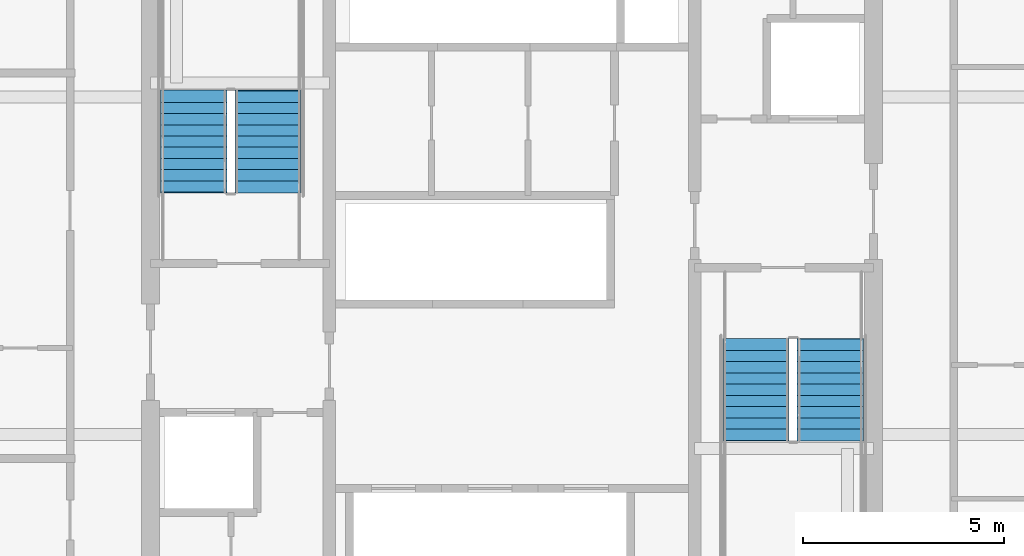
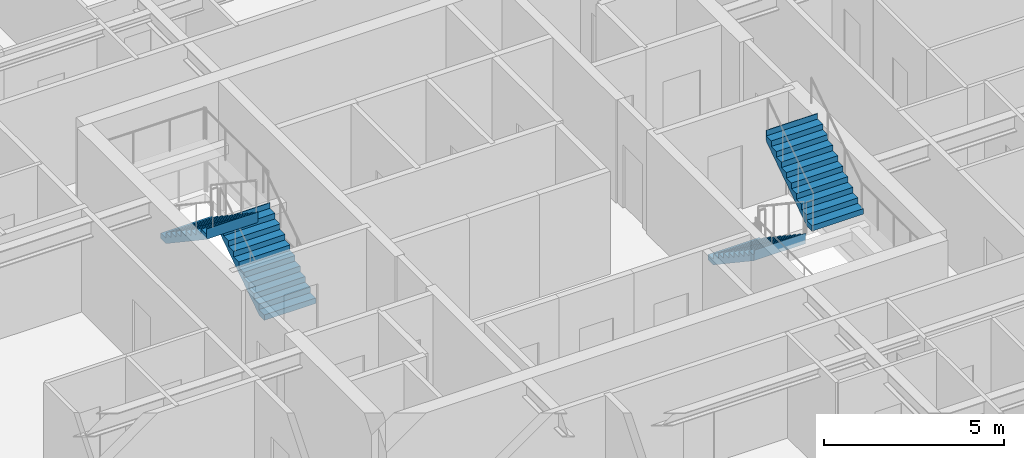
# One storey, part 33 of 39: 4 stair flights, 2 elements without a shape of their own.
"""IFC4 building model written with IfcOpenShell, lengths in metres."""

from ifc_helpers import new_model, si_unit, direction, frame, origin, place, context, subcontext, project, spatial, polygons, material, type_object, element, aggregate, save


model = new_model("IFC4")

# Units and contexts
model_context = context("Model", 3, precision=1e-05, world=origin(), true_north=direction((0.0, 1.0)))
body_context = subcontext(model_context, "Body", "Model", "MODEL_VIEW")
ifc_project = project(units=[si_unit("LENGTHUNIT", "METRE"), si_unit("AREAUNIT", "SQUARE_METRE"), si_unit("VOLUMEUNIT", "CUBIC_METRE"), si_unit("PLANEANGLEUNIT", "RADIAN"), si_unit("MASSUNIT", "GRAM", prefix="KILO")], contexts=[model_context])

# Site, building, storey
site_placement = place(None, origin())
site = spatial("IfcSite", under=ifc_project, at=site_placement, CompositionType="ELEMENT")
building_placement = place(site_placement, origin())
building = spatial("IfcBuilding", under=site, at=building_placement, Name="Serunith Strait Residences", CompositionType="ELEMENT")
storey_placement = place(building_placement, frame((0.0, 0.0, 79.199951171875)))
storey = spatial("IfcBuildingStorey", under=building, at=storey_placement, Name="L19", CompositionType="ELEMENT", Elevation=79.199951171875)

# Stair, stair flights
ifc_material = material(Name="Concrete C50/60", Category="concrete")
stair_type_1 = type_object("IfcStairType", Name="STR-CORE-1", PredefinedType="HALF_TURN_STAIR", material=ifc_material)
stair_1_placement = place(storey_placement, origin())
stair_1 = element("IfcStair", 1, at=stair_1_placement, inside=storey, type_object=stair_type_1, Name="L19 Protected Escape Stair ST-1", PredefinedType="HALF_TURN_STAIR")
stair_flight_type_1 = type_object("IfcStairFlightType", Name="FLT-CORE-1", PredefinedType="STRAIGHT", material=ifc_material)
stair_flight_1_placement = place(storey_placement, frame((26.324951171875, 27.030029296875, 0.0), z_axis=(0.0, 0.0, 1.0), x_axis=(0.0, 1.0, 0.0)))
stair_flight_1 = element("IfcStairFlight", 2, at=stair_flight_1_placement, type_object=stair_flight_type_1, Name="ST-1 flight 1", NumberOfRisers=10, NumberOfTreads=9, PredefinedType="STRAIGHT", RiserHeight=0.1875, TreadLength=0.28, context=body_context, shape_type="Tessellation", body=[
    polygons([(-0.02001953125, -0.824951171875, 0.0), (-0.02001953125, -0.824951171875, 0.1875), (0.280029296875, -0.824951171875, 0.1875), (0.280029296875, -0.824951171875, 0.375), (0.56005859375, -0.824951171875, 0.375), (0.56005859375, -0.824951171875, 0.5625), (0.840087890625, -0.824951171875, 0.5625), (0.840087890625, -0.824951171875, 0.75), (1.1201171875, -0.824951171875, 0.75), (1.1201171875, -0.824951171875, 0.9375), (1.39990234375, -0.824951171875, 0.9375), (1.39990234375, -0.824951171875, 1.125), (1.679931640625, -0.824951171875, 1.125), (1.679931640625, -0.824951171875, 1.3125), (1.9599609375, -0.824951171875, 1.3125), (1.9599609375, -0.824951171875, 1.5), (2.239990234375, -0.824951171875, 1.5), (2.239990234375, -0.824951171875, 1.6875), (2.52001953125, -0.824951171875, 1.6875), (2.52001953125, -0.824951171875, 1.875), (2.5400390625, -0.824951171875, 1.875), (2.5400390625, -0.824951171875, 1.81494140625), (2.52001953125, -0.824951171875, 1.507080078125), (0.26953125, -0.824951171875, 0.0), (-0.02001953125, -0.41259765625, 0.0), (-0.02001953125, -0.41259765625, 0.1875), (0.280029296875, -0.41259765625, 0.1875), (0.280029296875, -0.41259765625, 0.375), (0.56005859375, -0.41259765625, 0.375), (0.56005859375, -0.41259765625, 0.5625), (0.840087890625, -0.41259765625, 0.5625), (0.840087890625, -0.41259765625, 0.75), (1.1201171875, -0.41259765625, 0.75), (1.1201171875, -0.41259765625, 0.9375), (1.39990234375, -0.41259765625, 0.9375), (1.39990234375, -0.41259765625, 1.125), (1.679931640625, -0.41259765625, 1.125), (1.679931640625, -0.41259765625, 1.3125), (1.9599609375, -0.41259765625, 1.3125), (1.9599609375, -0.41259765625, 1.5), (2.239990234375, -0.41259765625, 1.5), (2.239990234375, -0.41259765625, 1.6875), (2.52001953125, -0.41259765625, 1.6875), (2.52001953125, -0.41259765625, 1.875), (2.5400390625, -0.41259765625, 1.875), (2.5400390625, -0.41259765625, 1.81494140625), (2.52001953125, -0.41259765625, 1.507080078125), (0.26953125, -0.41259765625, 0.0), (-0.02001953125, 0.0, 0.0), (-0.02001953125, 0.0, 0.1875), (0.280029296875, 0.0, 0.1875), (0.280029296875, 0.0, 0.375), (0.56005859375, 0.0, 0.375), (0.56005859375, 0.0, 0.5625), (0.840087890625, 0.0, 0.5625), (0.840087890625, 0.0, 0.75), (1.1201171875, 0.0, 0.75), (1.1201171875, 0.0, 0.9375), (1.39990234375, 0.0, 0.9375), (1.39990234375, 0.0, 1.125), (1.679931640625, 0.0, 1.125), (1.679931640625, 0.0, 1.3125), (1.9599609375, 0.0, 1.3125), (1.9599609375, 0.0, 1.5), (2.239990234375, 0.0, 1.5), (2.239990234375, 0.0, 1.6875), (2.52001953125, 0.0, 1.6875), (2.52001953125, 0.0, 1.875), (2.5400390625, 0.0, 1.875), (2.5400390625, 0.0, 1.81494140625), (2.52001953125, 0.0, 1.507080078125), (0.26953125, 0.0, 0.0), (-0.02001953125, 0.41259765625, 0.0), (-0.02001953125, 0.41259765625, 0.1875), (0.280029296875, 0.41259765625, 0.1875), (0.280029296875, 0.41259765625, 0.375), (0.56005859375, 0.41259765625, 0.375), (0.56005859375, 0.41259765625, 0.5625), (0.840087890625, 0.41259765625, 0.5625), (0.840087890625, 0.41259765625, 0.75), (1.1201171875, 0.41259765625, 0.75), (1.1201171875, 0.41259765625, 0.9375), (1.39990234375, 0.41259765625, 0.9375), (1.39990234375, 0.41259765625, 1.125), (1.679931640625, 0.41259765625, 1.125), (1.679931640625, 0.41259765625, 1.3125), (1.9599609375, 0.41259765625, 1.3125), (1.9599609375, 0.41259765625, 1.5), (2.239990234375, 0.41259765625, 1.5), (2.239990234375, 0.41259765625, 1.6875), (2.52001953125, 0.41259765625, 1.6875), (2.52001953125, 0.41259765625, 1.875), (2.5400390625, 0.41259765625, 1.875), (2.5400390625, 0.41259765625, 1.81494140625), (2.52001953125, 0.41259765625, 1.507080078125), (0.26953125, 0.41259765625, 0.0), (-0.02001953125, 0.824951171875, 0.0), (-0.02001953125, 0.824951171875, 0.1875), (0.280029296875, 0.824951171875, 0.1875), (0.280029296875, 0.824951171875, 0.375), (0.56005859375, 0.824951171875, 0.375), (0.56005859375, 0.824951171875, 0.5625), (0.840087890625, 0.824951171875, 0.5625), (0.840087890625, 0.824951171875, 0.75), (1.1201171875, 0.824951171875, 0.75), (1.1201171875, 0.824951171875, 0.9375), (1.39990234375, 0.824951171875, 0.9375), (1.39990234375, 0.824951171875, 1.125), (1.679931640625, 0.824951171875, 1.125), (1.679931640625, 0.824951171875, 1.3125), (1.9599609375, 0.824951171875, 1.3125), (1.9599609375, 0.824951171875, 1.5), (2.239990234375, 0.824951171875, 1.5), (2.239990234375, 0.824951171875, 1.6875), (2.52001953125, 0.824951171875, 1.6875), (2.52001953125, 0.824951171875, 1.875), (2.5400390625, 0.824951171875, 1.875), (2.5400390625, 0.824951171875, 1.81494140625), (2.52001953125, 0.824951171875, 1.507080078125), (0.26953125, 0.824951171875, 0.0)], [[[1, 2, 26, 25]], [[2, 3, 27, 26]], [[3, 4, 28, 27]], [[4, 5, 29, 28]], [[5, 6, 30, 29]], [[6, 7, 31, 30]], [[7, 8, 32, 31]], [[8, 9, 33, 32]], [[9, 10, 34, 33]], [[10, 11, 35, 34]], [[11, 12, 36, 35]], [[12, 13, 37, 36]], [[13, 14, 38, 37]], [[14, 15, 39, 38]], [[15, 16, 40, 39]], [[16, 17, 41, 40]], [[17, 18, 42, 41]], [[18, 19, 43, 42]], [[19, 20, 44, 43]], [[20, 21, 45, 44]], [[21, 22, 46, 45]], [[22, 23, 47, 46]], [[23, 24, 48, 47]], [[24, 1, 25, 48]], [[25, 26, 50, 49]], [[26, 27, 51, 50]], [[27, 28, 52, 51]], [[28, 29, 53, 52]], [[29, 30, 54, 53]], [[30, 31, 55, 54]], [[31, 32, 56, 55]], [[32, 33, 57, 56]], [[33, 34, 58, 57]], [[34, 35, 59, 58]], [[35, 36, 60, 59]], [[36, 37, 61, 60]], [[37, 38, 62, 61]], [[38, 39, 63, 62]], [[39, 40, 64, 63]], [[40, 41, 65, 64]], [[41, 42, 66, 65]], [[42, 43, 67, 66]], [[43, 44, 68, 67]], [[44, 45, 69, 68]], [[45, 46, 70, 69]], [[46, 47, 71, 70]], [[47, 48, 72, 71]], [[48, 25, 49, 72]], [[49, 50, 74, 73]], [[50, 51, 75, 74]], [[51, 52, 76, 75]], [[52, 53, 77, 76]], [[53, 54, 78, 77]], [[54, 55, 79, 78]], [[55, 56, 80, 79]], [[56, 57, 81, 80]], [[57, 58, 82, 81]], [[58, 59, 83, 82]], [[59, 60, 84, 83]], [[60, 61, 85, 84]], [[61, 62, 86, 85]], [[62, 63, 87, 86]], [[63, 64, 88, 87]], [[64, 65, 89, 88]], [[65, 66, 90, 89]], [[66, 67, 91, 90]], [[67, 68, 92, 91]], [[68, 69, 93, 92]], [[69, 70, 94, 93]], [[70, 71, 95, 94]], [[71, 72, 96, 95]], [[72, 49, 73, 96]], [[73, 74, 98, 97]], [[74, 75, 99, 98]], [[75, 76, 100, 99]], [[76, 77, 101, 100]], [[77, 78, 102, 101]], [[78, 79, 103, 102]], [[79, 80, 104, 103]], [[80, 81, 105, 104]], [[81, 82, 106, 105]], [[82, 83, 107, 106]], [[83, 84, 108, 107]], [[84, 85, 109, 108]], [[85, 86, 110, 109]], [[86, 87, 111, 110]], [[87, 88, 112, 111]], [[88, 89, 113, 112]], [[89, 90, 114, 113]], [[90, 91, 115, 114]], [[91, 92, 116, 115]], [[92, 93, 117, 116]], [[93, 94, 118, 117]], [[94, 95, 119, 118]], [[95, 96, 120, 119]], [[96, 73, 97, 120]], [[24, 23, 22, 21, 20, 19, 18, 17, 16, 15, 14, 13, 12, 11, 10, 9, 8, 7, 6, 5, 4, 3, 2, 1]], [[97, 98, 99, 100, 101, 102, 103, 104, 105, 106, 107, 108, 109, 110, 111, 112, 113, 114, 115, 116, 117, 118, 119, 120]]], closed=True),
])
stair_flight_2_placement = place(storey_placement, frame((24.47509765625, 29.550048828125, 1.875), z_axis=(0.0, 0.0, 1.0), x_axis=(0.0, -1.0, 0.0)))
stair_flight_2 = element("IfcStairFlight", 3, at=stair_flight_2_placement, type_object=stair_flight_type_1, Name="ST-1 flight 2", NumberOfRisers=10, NumberOfTreads=9, PredefinedType="STRAIGHT", RiserHeight=0.1875, TreadLength=0.28, context=body_context, shape_type="Tessellation", body=[
    polygons([(-0.02001953125, -0.824951171875, 0.0), (-0.02001953125, -0.824951171875, 0.1875), (0.280029296875, -0.824951171875, 0.1875), (0.280029296875, -0.824951171875, 0.375), (0.56005859375, -0.824951171875, 0.375), (0.56005859375, -0.824951171875, 0.5625), (0.840087890625, -0.824951171875, 0.5625), (0.840087890625, -0.824951171875, 0.75), (1.1201171875, -0.824951171875, 0.75), (1.1201171875, -0.824951171875, 0.9375), (1.39990234375, -0.824951171875, 0.9375), (1.39990234375, -0.824951171875, 1.125), (1.679931640625, -0.824951171875, 1.125), (1.679931640625, -0.824951171875, 1.3125), (1.9599609375, -0.824951171875, 1.3125), (1.9599609375, -0.824951171875, 1.5), (2.239990234375, -0.824951171875, 1.5), (2.239990234375, -0.824951171875, 1.6875), (2.52001953125, -0.824951171875, 1.6875), (2.52001953125, -0.824951171875, 1.875), (2.5400390625, -0.824951171875, 1.875), (2.5400390625, -0.824951171875, 1.81494140625), (2.52001953125, -0.824951171875, 1.507080078125), (0.26953125, -0.824951171875, 0.0), (-0.02001953125, -0.41259765625, 0.0), (-0.02001953125, -0.41259765625, 0.1875), (0.280029296875, -0.41259765625, 0.1875), (0.280029296875, -0.41259765625, 0.375), (0.56005859375, -0.41259765625, 0.375), (0.56005859375, -0.41259765625, 0.5625), (0.840087890625, -0.41259765625, 0.5625), (0.840087890625, -0.41259765625, 0.75), (1.1201171875, -0.41259765625, 0.75), (1.1201171875, -0.41259765625, 0.9375), (1.39990234375, -0.41259765625, 0.9375), (1.39990234375, -0.41259765625, 1.125), (1.679931640625, -0.41259765625, 1.125), (1.679931640625, -0.41259765625, 1.3125), (1.9599609375, -0.41259765625, 1.3125), (1.9599609375, -0.41259765625, 1.5), (2.239990234375, -0.41259765625, 1.5), (2.239990234375, -0.41259765625, 1.6875), (2.52001953125, -0.41259765625, 1.6875), (2.52001953125, -0.41259765625, 1.875), (2.5400390625, -0.41259765625, 1.875), (2.5400390625, -0.41259765625, 1.81494140625), (2.52001953125, -0.41259765625, 1.507080078125), (0.26953125, -0.41259765625, 0.0), (-0.02001953125, 0.0, 0.0), (-0.02001953125, 0.0, 0.1875), (0.280029296875, 0.0, 0.1875), (0.280029296875, 0.0, 0.375), (0.56005859375, 0.0, 0.375), (0.56005859375, 0.0, 0.5625), (0.840087890625, 0.0, 0.5625), (0.840087890625, 0.0, 0.75), (1.1201171875, 0.0, 0.75), (1.1201171875, 0.0, 0.9375), (1.39990234375, 0.0, 0.9375), (1.39990234375, 0.0, 1.125), (1.679931640625, 0.0, 1.125), (1.679931640625, 0.0, 1.3125), (1.9599609375, 0.0, 1.3125), (1.9599609375, 0.0, 1.5), (2.239990234375, 0.0, 1.5), (2.239990234375, 0.0, 1.6875), (2.52001953125, 0.0, 1.6875), (2.52001953125, 0.0, 1.875), (2.5400390625, 0.0, 1.875), (2.5400390625, 0.0, 1.81494140625), (2.52001953125, 0.0, 1.507080078125), (0.26953125, 0.0, 0.0), (-0.02001953125, 0.41259765625, 0.0), (-0.02001953125, 0.41259765625, 0.1875), (0.280029296875, 0.41259765625, 0.1875), (0.280029296875, 0.41259765625, 0.375), (0.56005859375, 0.41259765625, 0.375), (0.56005859375, 0.41259765625, 0.5625), (0.840087890625, 0.41259765625, 0.5625), (0.840087890625, 0.41259765625, 0.75), (1.1201171875, 0.41259765625, 0.75), (1.1201171875, 0.41259765625, 0.9375), (1.39990234375, 0.41259765625, 0.9375), (1.39990234375, 0.41259765625, 1.125), (1.679931640625, 0.41259765625, 1.125), (1.679931640625, 0.41259765625, 1.3125), (1.9599609375, 0.41259765625, 1.3125), (1.9599609375, 0.41259765625, 1.5), (2.239990234375, 0.41259765625, 1.5), (2.239990234375, 0.41259765625, 1.6875), (2.52001953125, 0.41259765625, 1.6875), (2.52001953125, 0.41259765625, 1.875), (2.5400390625, 0.41259765625, 1.875), (2.5400390625, 0.41259765625, 1.81494140625), (2.52001953125, 0.41259765625, 1.507080078125), (0.26953125, 0.41259765625, 0.0), (-0.02001953125, 0.824951171875, 0.0), (-0.02001953125, 0.824951171875, 0.1875), (0.280029296875, 0.824951171875, 0.1875), (0.280029296875, 0.824951171875, 0.375), (0.56005859375, 0.824951171875, 0.375), (0.56005859375, 0.824951171875, 0.5625), (0.840087890625, 0.824951171875, 0.5625), (0.840087890625, 0.824951171875, 0.75), (1.1201171875, 0.824951171875, 0.75), (1.1201171875, 0.824951171875, 0.9375), (1.39990234375, 0.824951171875, 0.9375), (1.39990234375, 0.824951171875, 1.125), (1.679931640625, 0.824951171875, 1.125), (1.679931640625, 0.824951171875, 1.3125), (1.9599609375, 0.824951171875, 1.3125), (1.9599609375, 0.824951171875, 1.5), (2.239990234375, 0.824951171875, 1.5), (2.239990234375, 0.824951171875, 1.6875), (2.52001953125, 0.824951171875, 1.6875), (2.52001953125, 0.824951171875, 1.875), (2.5400390625, 0.824951171875, 1.875), (2.5400390625, 0.824951171875, 1.81494140625), (2.52001953125, 0.824951171875, 1.507080078125), (0.26953125, 0.824951171875, 0.0)], [[[1, 2, 26, 25]], [[2, 3, 27, 26]], [[3, 4, 28, 27]], [[4, 5, 29, 28]], [[5, 6, 30, 29]], [[6, 7, 31, 30]], [[7, 8, 32, 31]], [[8, 9, 33, 32]], [[9, 10, 34, 33]], [[10, 11, 35, 34]], [[11, 12, 36, 35]], [[12, 13, 37, 36]], [[13, 14, 38, 37]], [[14, 15, 39, 38]], [[15, 16, 40, 39]], [[16, 17, 41, 40]], [[17, 18, 42, 41]], [[18, 19, 43, 42]], [[19, 20, 44, 43]], [[20, 21, 45, 44]], [[21, 22, 46, 45]], [[22, 23, 47, 46]], [[23, 24, 48, 47]], [[24, 1, 25, 48]], [[25, 26, 50, 49]], [[26, 27, 51, 50]], [[27, 28, 52, 51]], [[28, 29, 53, 52]], [[29, 30, 54, 53]], [[30, 31, 55, 54]], [[31, 32, 56, 55]], [[32, 33, 57, 56]], [[33, 34, 58, 57]], [[34, 35, 59, 58]], [[35, 36, 60, 59]], [[36, 37, 61, 60]], [[37, 38, 62, 61]], [[38, 39, 63, 62]], [[39, 40, 64, 63]], [[40, 41, 65, 64]], [[41, 42, 66, 65]], [[42, 43, 67, 66]], [[43, 44, 68, 67]], [[44, 45, 69, 68]], [[45, 46, 70, 69]], [[46, 47, 71, 70]], [[47, 48, 72, 71]], [[48, 25, 49, 72]], [[49, 50, 74, 73]], [[50, 51, 75, 74]], [[51, 52, 76, 75]], [[52, 53, 77, 76]], [[53, 54, 78, 77]], [[54, 55, 79, 78]], [[55, 56, 80, 79]], [[56, 57, 81, 80]], [[57, 58, 82, 81]], [[58, 59, 83, 82]], [[59, 60, 84, 83]], [[60, 61, 85, 84]], [[61, 62, 86, 85]], [[62, 63, 87, 86]], [[63, 64, 88, 87]], [[64, 65, 89, 88]], [[65, 66, 90, 89]], [[66, 67, 91, 90]], [[67, 68, 92, 91]], [[68, 69, 93, 92]], [[69, 70, 94, 93]], [[70, 71, 95, 94]], [[71, 72, 96, 95]], [[72, 49, 73, 96]], [[73, 74, 98, 97]], [[74, 75, 99, 98]], [[75, 76, 100, 99]], [[76, 77, 101, 100]], [[77, 78, 102, 101]], [[78, 79, 103, 102]], [[79, 80, 104, 103]], [[80, 81, 105, 104]], [[81, 82, 106, 105]], [[82, 83, 107, 106]], [[83, 84, 108, 107]], [[84, 85, 109, 108]], [[85, 86, 110, 109]], [[86, 87, 111, 110]], [[87, 88, 112, 111]], [[88, 89, 113, 112]], [[89, 90, 114, 113]], [[90, 91, 115, 114]], [[91, 92, 116, 115]], [[92, 93, 117, 116]], [[93, 94, 118, 117]], [[94, 95, 119, 118]], [[95, 96, 120, 119]], [[96, 73, 97, 120]], [[24, 23, 22, 21, 20, 19, 18, 17, 16, 15, 14, 13, 12, 11, 10, 9, 8, 7, 6, 5, 4, 3, 2, 1]], [[97, 98, 99, 100, 101, 102, 103, 104, 105, 106, 107, 108, 109, 110, 111, 112, 113, 114, 115, 116, 117, 118, 119, 120]]], closed=True),
])
aggregate(stair_1, [stair_flight_1, stair_flight_2])

stair_type_2 = type_object("IfcStairType", Name="STR-CORE-2", PredefinedType="HALF_TURN_STAIR", material=ifc_material)
stair_2_placement = place(storey_placement, origin())
stair_2 = element("IfcStair", 4, at=stair_2_placement, inside=storey, type_object=stair_type_2, Name="L19 Protected Escape Stair ST-2", PredefinedType="HALF_TURN_STAIR")
stair_flight_type_2 = type_object("IfcStairFlightType", Name="FLT-CORE-2", PredefinedType="STRAIGHT", material=ifc_material)
stair_flight_3_placement = place(storey_placement, frame((38.47509765625, 23.3701171875, 0.0), z_axis=(0.0, 0.0, 1.0), x_axis=(0.0, -1.0, 0.0)))
stair_flight_3 = element("IfcStairFlight", 5, at=stair_flight_3_placement, type_object=stair_flight_type_2, Name="ST-2 flight 1", NumberOfRisers=10, NumberOfTreads=9, PredefinedType="STRAIGHT", RiserHeight=0.1875, TreadLength=0.28, context=body_context, shape_type="Tessellation", body=[
    polygons([(-0.02001953125, -0.824951171875, 0.0), (-0.02001953125, -0.824951171875, 0.1875), (0.280029296875, -0.824951171875, 0.1875), (0.280029296875, -0.824951171875, 0.375), (0.56005859375, -0.824951171875, 0.375), (0.56005859375, -0.824951171875, 0.5625), (0.840087890625, -0.824951171875, 0.5625), (0.840087890625, -0.824951171875, 0.75), (1.1201171875, -0.824951171875, 0.75), (1.1201171875, -0.824951171875, 0.9375), (1.39990234375, -0.824951171875, 0.9375), (1.39990234375, -0.824951171875, 1.125), (1.679931640625, -0.824951171875, 1.125), (1.679931640625, -0.824951171875, 1.3125), (1.9599609375, -0.824951171875, 1.3125), (1.9599609375, -0.824951171875, 1.5), (2.239990234375, -0.824951171875, 1.5), (2.239990234375, -0.824951171875, 1.6875), (2.52001953125, -0.824951171875, 1.6875), (2.52001953125, -0.824951171875, 1.875), (2.5400390625, -0.824951171875, 1.875), (2.5400390625, -0.824951171875, 1.81494140625), (2.52001953125, -0.824951171875, 1.507080078125), (0.26953125, -0.824951171875, 0.0), (-0.02001953125, -0.41259765625, 0.0), (-0.02001953125, -0.41259765625, 0.1875), (0.280029296875, -0.41259765625, 0.1875), (0.280029296875, -0.41259765625, 0.375), (0.56005859375, -0.41259765625, 0.375), (0.56005859375, -0.41259765625, 0.5625), (0.840087890625, -0.41259765625, 0.5625), (0.840087890625, -0.41259765625, 0.75), (1.1201171875, -0.41259765625, 0.75), (1.1201171875, -0.41259765625, 0.9375), (1.39990234375, -0.41259765625, 0.9375), (1.39990234375, -0.41259765625, 1.125), (1.679931640625, -0.41259765625, 1.125), (1.679931640625, -0.41259765625, 1.3125), (1.9599609375, -0.41259765625, 1.3125), (1.9599609375, -0.41259765625, 1.5), (2.239990234375, -0.41259765625, 1.5), (2.239990234375, -0.41259765625, 1.6875), (2.52001953125, -0.41259765625, 1.6875), (2.52001953125, -0.41259765625, 1.875), (2.5400390625, -0.41259765625, 1.875), (2.5400390625, -0.41259765625, 1.81494140625), (2.52001953125, -0.41259765625, 1.507080078125), (0.26953125, -0.41259765625, 0.0), (-0.02001953125, 0.0, 0.0), (-0.02001953125, 0.0, 0.1875), (0.280029296875, 0.0, 0.1875), (0.280029296875, 0.0, 0.375), (0.56005859375, 0.0, 0.375), (0.56005859375, 0.0, 0.5625), (0.840087890625, 0.0, 0.5625), (0.840087890625, 0.0, 0.75), (1.1201171875, 0.0, 0.75), (1.1201171875, 0.0, 0.9375), (1.39990234375, 0.0, 0.9375), (1.39990234375, 0.0, 1.125), (1.679931640625, 0.0, 1.125), (1.679931640625, 0.0, 1.3125), (1.9599609375, 0.0, 1.3125), (1.9599609375, 0.0, 1.5), (2.239990234375, 0.0, 1.5), (2.239990234375, 0.0, 1.6875), (2.52001953125, 0.0, 1.6875), (2.52001953125, 0.0, 1.875), (2.5400390625, 0.0, 1.875), (2.5400390625, 0.0, 1.81494140625), (2.52001953125, 0.0, 1.507080078125), (0.26953125, 0.0, 0.0), (-0.02001953125, 0.41259765625, 0.0), (-0.02001953125, 0.41259765625, 0.1875), (0.280029296875, 0.41259765625, 0.1875), (0.280029296875, 0.41259765625, 0.375), (0.56005859375, 0.41259765625, 0.375), (0.56005859375, 0.41259765625, 0.5625), (0.840087890625, 0.41259765625, 0.5625), (0.840087890625, 0.41259765625, 0.75), (1.1201171875, 0.41259765625, 0.75), (1.1201171875, 0.41259765625, 0.9375), (1.39990234375, 0.41259765625, 0.9375), (1.39990234375, 0.41259765625, 1.125), (1.679931640625, 0.41259765625, 1.125), (1.679931640625, 0.41259765625, 1.3125), (1.9599609375, 0.41259765625, 1.3125), (1.9599609375, 0.41259765625, 1.5), (2.239990234375, 0.41259765625, 1.5), (2.239990234375, 0.41259765625, 1.6875), (2.52001953125, 0.41259765625, 1.6875), (2.52001953125, 0.41259765625, 1.875), (2.5400390625, 0.41259765625, 1.875), (2.5400390625, 0.41259765625, 1.81494140625), (2.52001953125, 0.41259765625, 1.507080078125), (0.26953125, 0.41259765625, 0.0), (-0.02001953125, 0.824951171875, 0.0), (-0.02001953125, 0.824951171875, 0.1875), (0.280029296875, 0.824951171875, 0.1875), (0.280029296875, 0.824951171875, 0.375), (0.56005859375, 0.824951171875, 0.375), (0.56005859375, 0.824951171875, 0.5625), (0.840087890625, 0.824951171875, 0.5625), (0.840087890625, 0.824951171875, 0.75), (1.1201171875, 0.824951171875, 0.75), (1.1201171875, 0.824951171875, 0.9375), (1.39990234375, 0.824951171875, 0.9375), (1.39990234375, 0.824951171875, 1.125), (1.679931640625, 0.824951171875, 1.125), (1.679931640625, 0.824951171875, 1.3125), (1.9599609375, 0.824951171875, 1.3125), (1.9599609375, 0.824951171875, 1.5), (2.239990234375, 0.824951171875, 1.5), (2.239990234375, 0.824951171875, 1.6875), (2.52001953125, 0.824951171875, 1.6875), (2.52001953125, 0.824951171875, 1.875), (2.5400390625, 0.824951171875, 1.875), (2.5400390625, 0.824951171875, 1.81494140625), (2.52001953125, 0.824951171875, 1.507080078125), (0.26953125, 0.824951171875, 0.0)], [[[1, 2, 26, 25]], [[2, 3, 27, 26]], [[3, 4, 28, 27]], [[4, 5, 29, 28]], [[5, 6, 30, 29]], [[6, 7, 31, 30]], [[7, 8, 32, 31]], [[8, 9, 33, 32]], [[9, 10, 34, 33]], [[10, 11, 35, 34]], [[11, 12, 36, 35]], [[12, 13, 37, 36]], [[13, 14, 38, 37]], [[14, 15, 39, 38]], [[15, 16, 40, 39]], [[16, 17, 41, 40]], [[17, 18, 42, 41]], [[18, 19, 43, 42]], [[19, 20, 44, 43]], [[20, 21, 45, 44]], [[21, 22, 46, 45]], [[22, 23, 47, 46]], [[23, 24, 48, 47]], [[24, 1, 25, 48]], [[25, 26, 50, 49]], [[26, 27, 51, 50]], [[27, 28, 52, 51]], [[28, 29, 53, 52]], [[29, 30, 54, 53]], [[30, 31, 55, 54]], [[31, 32, 56, 55]], [[32, 33, 57, 56]], [[33, 34, 58, 57]], [[34, 35, 59, 58]], [[35, 36, 60, 59]], [[36, 37, 61, 60]], [[37, 38, 62, 61]], [[38, 39, 63, 62]], [[39, 40, 64, 63]], [[40, 41, 65, 64]], [[41, 42, 66, 65]], [[42, 43, 67, 66]], [[43, 44, 68, 67]], [[44, 45, 69, 68]], [[45, 46, 70, 69]], [[46, 47, 71, 70]], [[47, 48, 72, 71]], [[48, 25, 49, 72]], [[49, 50, 74, 73]], [[50, 51, 75, 74]], [[51, 52, 76, 75]], [[52, 53, 77, 76]], [[53, 54, 78, 77]], [[54, 55, 79, 78]], [[55, 56, 80, 79]], [[56, 57, 81, 80]], [[57, 58, 82, 81]], [[58, 59, 83, 82]], [[59, 60, 84, 83]], [[60, 61, 85, 84]], [[61, 62, 86, 85]], [[62, 63, 87, 86]], [[63, 64, 88, 87]], [[64, 65, 89, 88]], [[65, 66, 90, 89]], [[66, 67, 91, 90]], [[67, 68, 92, 91]], [[68, 69, 93, 92]], [[69, 70, 94, 93]], [[70, 71, 95, 94]], [[71, 72, 96, 95]], [[72, 49, 73, 96]], [[73, 74, 98, 97]], [[74, 75, 99, 98]], [[75, 76, 100, 99]], [[76, 77, 101, 100]], [[77, 78, 102, 101]], [[78, 79, 103, 102]], [[79, 80, 104, 103]], [[80, 81, 105, 104]], [[81, 82, 106, 105]], [[82, 83, 107, 106]], [[83, 84, 108, 107]], [[84, 85, 109, 108]], [[85, 86, 110, 109]], [[86, 87, 111, 110]], [[87, 88, 112, 111]], [[88, 89, 113, 112]], [[89, 90, 114, 113]], [[90, 91, 115, 114]], [[91, 92, 116, 115]], [[92, 93, 117, 116]], [[93, 94, 118, 117]], [[94, 95, 119, 118]], [[95, 96, 120, 119]], [[96, 73, 97, 120]], [[24, 23, 22, 21, 20, 19, 18, 17, 16, 15, 14, 13, 12, 11, 10, 9, 8, 7, 6, 5, 4, 3, 2, 1]], [[97, 98, 99, 100, 101, 102, 103, 104, 105, 106, 107, 108, 109, 110, 111, 112, 113, 114, 115, 116, 117, 118, 119, 120]]], closed=True),
])
stair_flight_4_placement = place(storey_placement, frame((40.324951171875, 20.85009765625, 1.875), z_axis=(0.0, 0.0, 1.0), x_axis=(0.0, 1.0, 0.0)))
stair_flight_4 = element("IfcStairFlight", 6, at=stair_flight_4_placement, type_object=stair_flight_type_2, Name="ST-2 flight 2", NumberOfRisers=10, NumberOfTreads=9, PredefinedType="STRAIGHT", RiserHeight=0.1875, TreadLength=0.28, context=body_context, shape_type="Tessellation", body=[
    polygons([(-0.02001953125, -0.824951171875, 0.0), (-0.02001953125, -0.824951171875, 0.1875), (0.280029296875, -0.824951171875, 0.1875), (0.280029296875, -0.824951171875, 0.375), (0.56005859375, -0.824951171875, 0.375), (0.56005859375, -0.824951171875, 0.5625), (0.840087890625, -0.824951171875, 0.5625), (0.840087890625, -0.824951171875, 0.75), (1.1201171875, -0.824951171875, 0.75), (1.1201171875, -0.824951171875, 0.9375), (1.39990234375, -0.824951171875, 0.9375), (1.39990234375, -0.824951171875, 1.125), (1.679931640625, -0.824951171875, 1.125), (1.679931640625, -0.824951171875, 1.3125), (1.9599609375, -0.824951171875, 1.3125), (1.9599609375, -0.824951171875, 1.5), (2.239990234375, -0.824951171875, 1.5), (2.239990234375, -0.824951171875, 1.6875), (2.52001953125, -0.824951171875, 1.6875), (2.52001953125, -0.824951171875, 1.875), (2.5400390625, -0.824951171875, 1.875), (2.5400390625, -0.824951171875, 1.81494140625), (2.52001953125, -0.824951171875, 1.507080078125), (0.26953125, -0.824951171875, 0.0), (-0.02001953125, -0.41259765625, 0.0), (-0.02001953125, -0.41259765625, 0.1875), (0.280029296875, -0.41259765625, 0.1875), (0.280029296875, -0.41259765625, 0.375), (0.56005859375, -0.41259765625, 0.375), (0.56005859375, -0.41259765625, 0.5625), (0.840087890625, -0.41259765625, 0.5625), (0.840087890625, -0.41259765625, 0.75), (1.1201171875, -0.41259765625, 0.75), (1.1201171875, -0.41259765625, 0.9375), (1.39990234375, -0.41259765625, 0.9375), (1.39990234375, -0.41259765625, 1.125), (1.679931640625, -0.41259765625, 1.125), (1.679931640625, -0.41259765625, 1.3125), (1.9599609375, -0.41259765625, 1.3125), (1.9599609375, -0.41259765625, 1.5), (2.239990234375, -0.41259765625, 1.5), (2.239990234375, -0.41259765625, 1.6875), (2.52001953125, -0.41259765625, 1.6875), (2.52001953125, -0.41259765625, 1.875), (2.5400390625, -0.41259765625, 1.875), (2.5400390625, -0.41259765625, 1.81494140625), (2.52001953125, -0.41259765625, 1.507080078125), (0.26953125, -0.41259765625, 0.0), (-0.02001953125, 0.0, 0.0), (-0.02001953125, 0.0, 0.1875), (0.280029296875, 0.0, 0.1875), (0.280029296875, 0.0, 0.375), (0.56005859375, 0.0, 0.375), (0.56005859375, 0.0, 0.5625), (0.840087890625, 0.0, 0.5625), (0.840087890625, 0.0, 0.75), (1.1201171875, 0.0, 0.75), (1.1201171875, 0.0, 0.9375), (1.39990234375, 0.0, 0.9375), (1.39990234375, 0.0, 1.125), (1.679931640625, 0.0, 1.125), (1.679931640625, 0.0, 1.3125), (1.9599609375, 0.0, 1.3125), (1.9599609375, 0.0, 1.5), (2.239990234375, 0.0, 1.5), (2.239990234375, 0.0, 1.6875), (2.52001953125, 0.0, 1.6875), (2.52001953125, 0.0, 1.875), (2.5400390625, 0.0, 1.875), (2.5400390625, 0.0, 1.81494140625), (2.52001953125, 0.0, 1.507080078125), (0.26953125, 0.0, 0.0), (-0.02001953125, 0.41259765625, 0.0), (-0.02001953125, 0.41259765625, 0.1875), (0.280029296875, 0.41259765625, 0.1875), (0.280029296875, 0.41259765625, 0.375), (0.56005859375, 0.41259765625, 0.375), (0.56005859375, 0.41259765625, 0.5625), (0.840087890625, 0.41259765625, 0.5625), (0.840087890625, 0.41259765625, 0.75), (1.1201171875, 0.41259765625, 0.75), (1.1201171875, 0.41259765625, 0.9375), (1.39990234375, 0.41259765625, 0.9375), (1.39990234375, 0.41259765625, 1.125), (1.679931640625, 0.41259765625, 1.125), (1.679931640625, 0.41259765625, 1.3125), (1.9599609375, 0.41259765625, 1.3125), (1.9599609375, 0.41259765625, 1.5), (2.239990234375, 0.41259765625, 1.5), (2.239990234375, 0.41259765625, 1.6875), (2.52001953125, 0.41259765625, 1.6875), (2.52001953125, 0.41259765625, 1.875), (2.5400390625, 0.41259765625, 1.875), (2.5400390625, 0.41259765625, 1.81494140625), (2.52001953125, 0.41259765625, 1.507080078125), (0.26953125, 0.41259765625, 0.0), (-0.02001953125, 0.824951171875, 0.0), (-0.02001953125, 0.824951171875, 0.1875), (0.280029296875, 0.824951171875, 0.1875), (0.280029296875, 0.824951171875, 0.375), (0.56005859375, 0.824951171875, 0.375), (0.56005859375, 0.824951171875, 0.5625), (0.840087890625, 0.824951171875, 0.5625), (0.840087890625, 0.824951171875, 0.75), (1.1201171875, 0.824951171875, 0.75), (1.1201171875, 0.824951171875, 0.9375), (1.39990234375, 0.824951171875, 0.9375), (1.39990234375, 0.824951171875, 1.125), (1.679931640625, 0.824951171875, 1.125), (1.679931640625, 0.824951171875, 1.3125), (1.9599609375, 0.824951171875, 1.3125), (1.9599609375, 0.824951171875, 1.5), (2.239990234375, 0.824951171875, 1.5), (2.239990234375, 0.824951171875, 1.6875), (2.52001953125, 0.824951171875, 1.6875), (2.52001953125, 0.824951171875, 1.875), (2.5400390625, 0.824951171875, 1.875), (2.5400390625, 0.824951171875, 1.81494140625), (2.52001953125, 0.824951171875, 1.507080078125), (0.26953125, 0.824951171875, 0.0)], [[[1, 2, 26, 25]], [[2, 3, 27, 26]], [[3, 4, 28, 27]], [[4, 5, 29, 28]], [[5, 6, 30, 29]], [[6, 7, 31, 30]], [[7, 8, 32, 31]], [[8, 9, 33, 32]], [[9, 10, 34, 33]], [[10, 11, 35, 34]], [[11, 12, 36, 35]], [[12, 13, 37, 36]], [[13, 14, 38, 37]], [[14, 15, 39, 38]], [[15, 16, 40, 39]], [[16, 17, 41, 40]], [[17, 18, 42, 41]], [[18, 19, 43, 42]], [[19, 20, 44, 43]], [[20, 21, 45, 44]], [[21, 22, 46, 45]], [[22, 23, 47, 46]], [[23, 24, 48, 47]], [[24, 1, 25, 48]], [[25, 26, 50, 49]], [[26, 27, 51, 50]], [[27, 28, 52, 51]], [[28, 29, 53, 52]], [[29, 30, 54, 53]], [[30, 31, 55, 54]], [[31, 32, 56, 55]], [[32, 33, 57, 56]], [[33, 34, 58, 57]], [[34, 35, 59, 58]], [[35, 36, 60, 59]], [[36, 37, 61, 60]], [[37, 38, 62, 61]], [[38, 39, 63, 62]], [[39, 40, 64, 63]], [[40, 41, 65, 64]], [[41, 42, 66, 65]], [[42, 43, 67, 66]], [[43, 44, 68, 67]], [[44, 45, 69, 68]], [[45, 46, 70, 69]], [[46, 47, 71, 70]], [[47, 48, 72, 71]], [[48, 25, 49, 72]], [[49, 50, 74, 73]], [[50, 51, 75, 74]], [[51, 52, 76, 75]], [[52, 53, 77, 76]], [[53, 54, 78, 77]], [[54, 55, 79, 78]], [[55, 56, 80, 79]], [[56, 57, 81, 80]], [[57, 58, 82, 81]], [[58, 59, 83, 82]], [[59, 60, 84, 83]], [[60, 61, 85, 84]], [[61, 62, 86, 85]], [[62, 63, 87, 86]], [[63, 64, 88, 87]], [[64, 65, 89, 88]], [[65, 66, 90, 89]], [[66, 67, 91, 90]], [[67, 68, 92, 91]], [[68, 69, 93, 92]], [[69, 70, 94, 93]], [[70, 71, 95, 94]], [[71, 72, 96, 95]], [[72, 49, 73, 96]], [[73, 74, 98, 97]], [[74, 75, 99, 98]], [[75, 76, 100, 99]], [[76, 77, 101, 100]], [[77, 78, 102, 101]], [[78, 79, 103, 102]], [[79, 80, 104, 103]], [[80, 81, 105, 104]], [[81, 82, 106, 105]], [[82, 83, 107, 106]], [[83, 84, 108, 107]], [[84, 85, 109, 108]], [[85, 86, 110, 109]], [[86, 87, 111, 110]], [[87, 88, 112, 111]], [[88, 89, 113, 112]], [[89, 90, 114, 113]], [[90, 91, 115, 114]], [[91, 92, 116, 115]], [[92, 93, 117, 116]], [[93, 94, 118, 117]], [[94, 95, 119, 118]], [[95, 96, 120, 119]], [[96, 73, 97, 120]], [[24, 23, 22, 21, 20, 19, 18, 17, 16, 15, 14, 13, 12, 11, 10, 9, 8, 7, 6, 5, 4, 3, 2, 1]], [[97, 98, 99, 100, 101, 102, 103, 104, 105, 106, 107, 108, 109, 110, 111, 112, 113, 114, 115, 116, 117, 118, 119, 120]]], closed=True),
])
aggregate(stair_2, [stair_flight_3, stair_flight_4])

save(model, "model.ifc")
